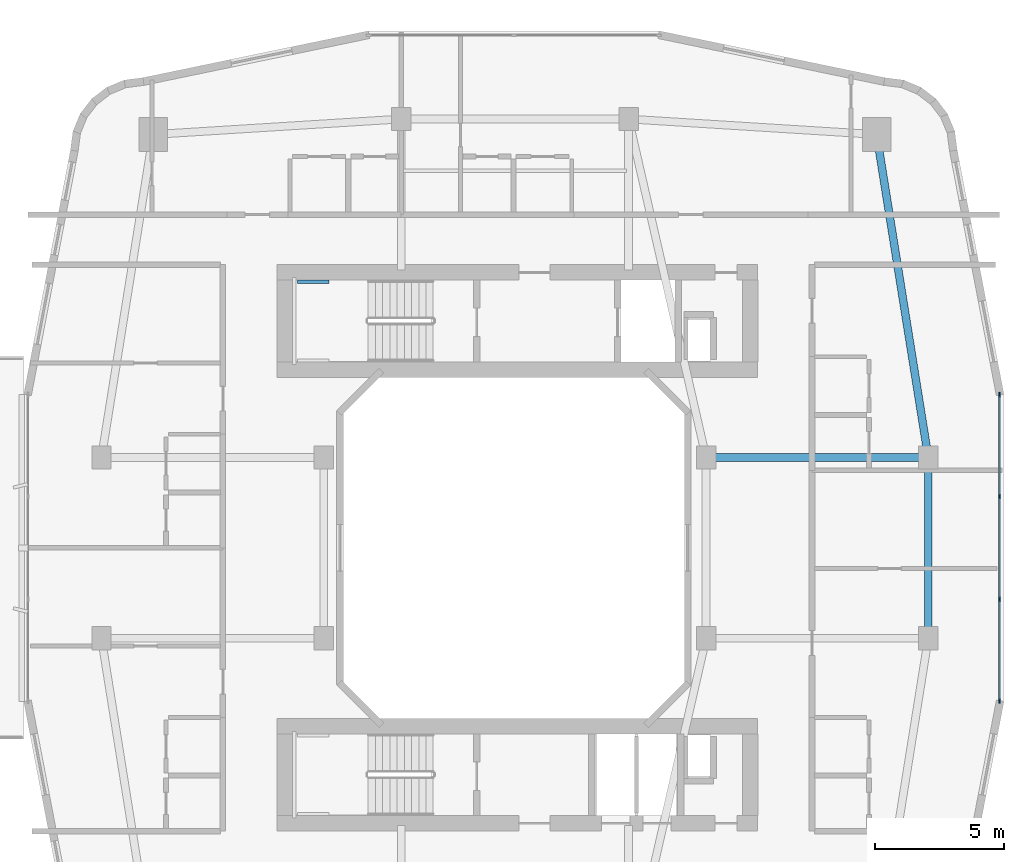
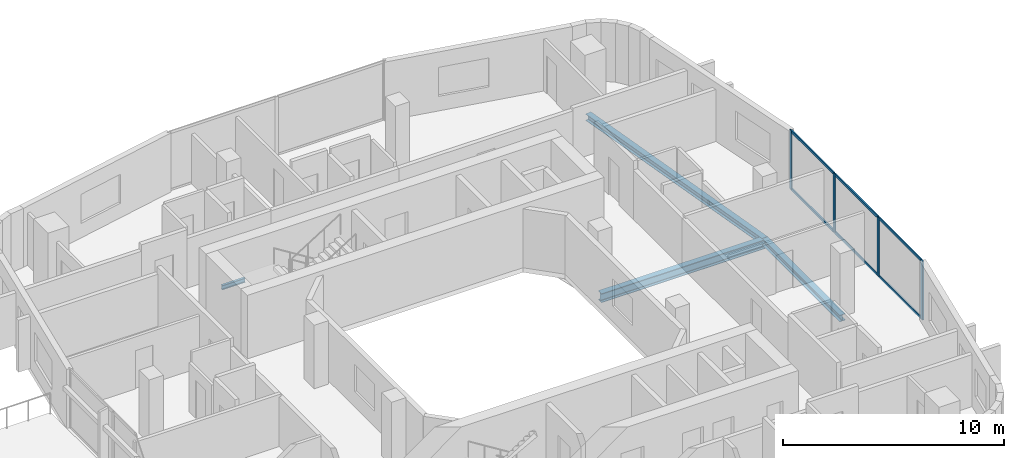
# One storey, part 9 of 25: 10 members, 4 beams, 1 element without a shape of its own.
"""IFC4 building model written with IfcOpenShell, lengths in metres."""

from ifc_helpers import new_model, si_unit, derived_unit, direction, frame, origin, origin_2d, place, context, subcontext, project, spatial, rectangle, i_section, extrude, material, layer, layer_set, material_profile, profile_set, type_object, element, aggregate, save


model = new_model("IFC4")

# Units and contexts
model_context = context("Model", 3, precision=1e-05, world=origin(), true_north=direction((0.0, 1.0)))
body_context = subcontext(model_context, "Body", "Model", "MODEL_VIEW")
ifc_project = project(units=[si_unit("LENGTHUNIT", "METRE"), si_unit("AREAUNIT", "SQUARE_METRE"), si_unit("VOLUMEUNIT", "CUBIC_METRE"), si_unit("PLANEANGLEUNIT", "RADIAN"), si_unit("MASSUNIT", "GRAM", prefix="KILO"), derived_unit("THERMALTRANSMITTANCEUNIT", [(si_unit("POWERUNIT", "WATT"), 1), (si_unit("LENGTHUNIT", "METRE"), -2), (si_unit("THERMODYNAMICTEMPERATUREUNIT", "KELVIN"), -1)])], contexts=[model_context])

# Site, building, storey
site_placement = place(None, origin())
site = spatial("IfcSite", under=ifc_project, at=site_placement, CompositionType="ELEMENT")
building_placement = place(site_placement, origin())
building = spatial("IfcBuilding", under=site, at=building_placement, Name="Kivonza Crest Hotel", CompositionType="ELEMENT")
storey_placement = place(building_placement, frame((0.0, 0.0, 24.0)))
storey = spatial("IfcBuildingStorey", under=building, at=storey_placement, Name="L05", CompositionType="ELEMENT", Elevation=24.0)

# Beams
ifc_material_1 = material(Name="Steel S355", Category="steel")
ifc_material_profile_1 = material_profile(ifc_material_1, i_section(OverallWidth=0.300048828125, OverallDepth=0.360107421875, WebThickness=0.012451171875, FlangeThickness=0.0224609375, FilletRadius=0.027099609375, at=origin_2d()), Name="HEB 360")
ifc_profile_set_1 = profile_set([ifc_material_profile_1], Name="Steel S355")
beam_type_1 = type_object("IfcBeamType", Name="BM-HEB360", PredefinedType="SPANDREL", material=ifc_profile_set_1)
beam_1_placement = place(storey_placement, frame((93.0, 21.5, -0.429931640625), z_axis=(0.0, 1.0, 0.0), x_axis=(-1.0, 0.0, 0.0)))
element("IfcBeam", 1, at=beam_1_placement, inside=storey, type_object=beam_type_1, Name="Companion Tower T2 L05 perimeter spandrel E1-E2", PredefinedType="SPANDREL", context=body_context, shape_type="SweptSolid", body=[
    extrude(i_section(OverallWidth=0.300048828125, OverallDepth=0.360107421875, WebThickness=0.012451171875, FlangeThickness=0.0224609375, FilletRadius=0.027099609375, at=origin_2d()), origin(), (0.0, 0.0, 1.0), 7.0),
])
beam_2_placement = place(storey_placement, frame((93.0, 28.5, -0.429931640625), z_axis=(-0.157990501107, 0.987440631917, 0.0), x_axis=(-0.987440631917, -0.157990501107, 0.0)))
element("IfcBeam", 2, at=beam_2_placement, inside=storey, type_object=beam_type_1, Name="Companion Tower T2 L05 perimeter spandrel E2-NE", PredefinedType="SPANDREL", context=body_context, shape_type="SweptSolid", body=[
    extrude(i_section(OverallWidth=0.300048828125, OverallDepth=0.360107421875, WebThickness=0.012451171875, FlangeThickness=0.0224609375, FilletRadius=0.027099609375, at=origin_2d()), origin(), (0.0, 0.0, 1.0), 12.658935546875),
])
ifc_material_profile_2 = material_profile(ifc_material_1, i_section(OverallWidth=0.300048828125, OverallDepth=0.5, WebThickness=0.014404296875, FlangeThickness=0.028076171875, FilletRadius=0.027099609375, at=origin_2d()), Name="HEB 500")
ifc_profile_set_2 = profile_set([ifc_material_profile_2], Name="Steel S355")
beam_type_2 = type_object("IfcBeamType", Name="BM-HEB500", PredefinedType="BEAM", material=ifc_profile_set_2)
beam_3_placement = place(storey_placement, frame((84.39990234375, 28.5, -0.5), z_axis=(1.0, 0.0, 0.0), x_axis=(0.0, 1.0, 0.0)))
element("IfcBeam", 3, at=beam_3_placement, inside=storey, type_object=beam_type_2, Name="Companion Tower T2 L05 girder WR2-E2", PredefinedType="BEAM", context=body_context, shape_type="SweptSolid", body=[
    extrude(i_section(OverallWidth=0.300048828125, OverallDepth=0.5, WebThickness=0.014404296875, FlangeThickness=0.028076171875, FilletRadius=0.027099609375, at=origin_2d()), origin(), (0.0, 0.0, 1.0), 8.60009765625),
])
ifc_material_profile_3 = material_profile(ifc_material_1, i_section(OverallWidth=0.1201171875, OverallDepth=0.239990234375, WebThickness=0.006103515625, FlangeThickness=0.009765625, FilletRadius=0.014892578125, at=origin_2d()), Name="IPE 240")
ifc_profile_set_3 = profile_set([ifc_material_profile_3], Name="Steel S355")
beam_type_3 = type_object("IfcBeamType", Name="BM-LLDG-240", PredefinedType="BEAM", material=ifc_profile_set_3)
beam_4_placement = place(storey_placement, frame((68.590087890625, 35.300048828125, 1.429931640625), z_axis=(1.0, 0.0, 0.0), x_axis=(0.0, 1.0, 0.0)))
element("IfcBeam", 4, at=beam_4_placement, inside=storey, type_object=beam_type_3, Name="Stair ST-T2-N L05 North landing corbel", PredefinedType="BEAM", context=body_context, shape_type="SweptSolid", body=[
    extrude(i_section(OverallWidth=0.1201171875, OverallDepth=0.239990234375, WebThickness=0.006103515625, FlangeThickness=0.009765625, FilletRadius=0.014892578125, at=origin_2d()), origin(), (0.0, 0.0, 1.0), 1.2099609375),
])

# Curtain wall, members
ifc_material_2 = material(Name="Anodised bronze aluminium and low-E double glazing", Category="aluminium")
ifc_layer = layer(ifc_material_2, 0.179931640625)
ifc_layer_set = layer_set([ifc_layer], Name="Anodised bronze aluminium and low-E double glazing")
curtain_wall_type = type_object("IfcCurtainWallType", Name="CW-SYS-4", PredefinedType="NOTDEFINED", material=ifc_layer_set)
curtain_wall_placement = place(storey_placement, origin())
curtain_wall = element("IfcCurtainWall", 5, at=curtain_wall_placement, inside=storey, type_object=curtain_wall_type, Name="L05 unitised curtain wall CW-T2-L05-17", PredefinedType="NOTDEFINED")
ifc_material_3 = material(Name="Anodised bronze aluminium", Category="aluminium")
ifc_material_profile_4 = material_profile(ifc_material_3, rectangle(XDim=0.06494140625, YDim=0.179931640625, at=origin_2d()), Name="CW-M 65x180")
ifc_profile_set_4 = profile_set([ifc_material_profile_4], Name="Anodised bronze aluminium")
member_type_1 = type_object("IfcMemberType", Name="CW-MUL-65x180", PredefinedType="MULLION", material=ifc_profile_set_4)
member_1_placement = place(storey_placement, frame((95.760009765625, 19.072509765625, 0.0), z_axis=(0.0, 0.0, 1.0), x_axis=(-1.0, 0.0, 0.0)))
member_1 = element("IfcMember", 6, at=member_1_placement, type_object=member_type_1, Name="CW-4 mullion 1", PredefinedType="MULLION", context=body_context, shape_type="SweptSolid", body=[
    extrude(rectangle(XDim=0.06494140625, YDim=0.179931640625, at=origin_2d()), origin(), (0.0, 0.0, 1.0), 3.25),
])
member_2_placement = place(storey_placement, frame((95.760009765625, 23.013427734375, 0.0), z_axis=(0.0, 0.0, 1.0), x_axis=(-1.0, 0.0, 0.0)))
member_2 = element("IfcMember", 7, at=member_2_placement, type_object=member_type_1, Name="CW-4 mullion 2", PredefinedType="MULLION", context=body_context, shape_type="SweptSolid", body=[
    extrude(rectangle(XDim=0.06494140625, YDim=0.179931640625, at=origin_2d()), origin(), (0.0, 0.0, 1.0), 3.25),
])
member_3_placement = place(storey_placement, frame((95.760009765625, 26.986572265625, 0.0), z_axis=(0.0, 0.0, 1.0), x_axis=(-1.0, 0.0, 0.0)))
member_3 = element("IfcMember", 8, at=member_3_placement, type_object=member_type_1, Name="CW-4 mullion 3", PredefinedType="MULLION", context=body_context, shape_type="SweptSolid", body=[
    extrude(rectangle(XDim=0.06494140625, YDim=0.179931640625, at=origin_2d()), origin(), (0.0, 0.0, 1.0), 3.25),
])
member_4_placement = place(storey_placement, frame((95.760009765625, 30.927490234375, 0.0), z_axis=(0.0, 0.0, 1.0), x_axis=(-1.0, 0.0, 0.0)))
member_4 = element("IfcMember", 9, at=member_4_placement, type_object=member_type_1, Name="CW-4 mullion 4", PredefinedType="MULLION", context=body_context, shape_type="SweptSolid", body=[
    extrude(rectangle(XDim=0.06494140625, YDim=0.179931640625, at=origin_2d()), origin(), (0.0, 0.0, 1.0), 3.25),
])
ifc_material_profile_5 = material_profile(ifc_material_3, rectangle(XDim=0.06494140625, YDim=0.139892578125, at=origin_2d()), Name="CW-T 65x140")
ifc_profile_set_5 = profile_set([ifc_material_profile_5], Name="Anodised bronze aluminium")
member_type_2 = type_object("IfcMemberType", Name="CW-TRN-65x140", PredefinedType="USERDEFINED", material=ifc_profile_set_5)
member_5_placement = place(storey_placement, frame((95.760009765625, 19.10498046875, 0.032470703125), z_axis=(0.0, 1.0, 0.0), x_axis=(-1.0, 0.0, 0.0)))
member_5 = element("IfcMember", 10, at=member_5_placement, type_object=member_type_2, Name="CW-4 transom 1.1", ObjectType="TRANSOM", PredefinedType="USERDEFINED", context=body_context, shape_type="SweptSolid", body=[
    extrude(rectangle(XDim=0.06494140625, YDim=0.139892578125, at=origin_2d()), origin(), (0.0, 0.0, 1.0), 3.875732421875),
])
member_6_placement = place(storey_placement, frame((95.760009765625, 19.10498046875, 3.217529296875), z_axis=(0.0, 1.0, 0.0), x_axis=(-1.0, 0.0, 0.0)))
member_6 = element("IfcMember", 11, at=member_6_placement, type_object=member_type_2, Name="CW-4 transom 1.2", ObjectType="TRANSOM", PredefinedType="USERDEFINED", context=body_context, shape_type="SweptSolid", body=[
    extrude(rectangle(XDim=0.06494140625, YDim=0.139892578125, at=origin_2d()), origin(), (0.0, 0.0, 1.0), 3.875732421875),
])
member_7_placement = place(storey_placement, frame((95.760009765625, 23.0458984375, 0.032470703125), z_axis=(0.0, 1.0, 0.0), x_axis=(-1.0, 0.0, 0.0)))
member_7 = element("IfcMember", 12, at=member_7_placement, type_object=member_type_2, Name="CW-4 transom 2.1", ObjectType="TRANSOM", PredefinedType="USERDEFINED", context=body_context, shape_type="SweptSolid", body=[
    extrude(rectangle(XDim=0.06494140625, YDim=0.139892578125, at=origin_2d()), origin(), (0.0, 0.0, 1.0), 3.908203125),
])
member_8_placement = place(storey_placement, frame((95.760009765625, 23.0458984375, 3.217529296875), z_axis=(0.0, 1.0, 0.0), x_axis=(-1.0, 0.0, 0.0)))
member_8 = element("IfcMember", 13, at=member_8_placement, type_object=member_type_2, Name="CW-4 transom 2.2", ObjectType="TRANSOM", PredefinedType="USERDEFINED", context=body_context, shape_type="SweptSolid", body=[
    extrude(rectangle(XDim=0.06494140625, YDim=0.139892578125, at=origin_2d()), origin(), (0.0, 0.0, 1.0), 3.908203125),
])
member_9_placement = place(storey_placement, frame((95.760009765625, 27.019287109375, 0.032470703125), z_axis=(0.0, 1.0, 0.0), x_axis=(-1.0, 0.0, 0.0)))
member_9 = element("IfcMember", 14, at=member_9_placement, type_object=member_type_2, Name="CW-4 transom 3.1", ObjectType="TRANSOM", PredefinedType="USERDEFINED", context=body_context, shape_type="SweptSolid", body=[
    extrude(rectangle(XDim=0.06494140625, YDim=0.139892578125, at=origin_2d()), origin(), (0.0, 0.0, 1.0), 3.875732421875),
])
member_10_placement = place(storey_placement, frame((95.760009765625, 27.019287109375, 3.217529296875), z_axis=(0.0, 1.0, 0.0), x_axis=(-1.0, 0.0, 0.0)))
member_10 = element("IfcMember", 15, at=member_10_placement, type_object=member_type_2, Name="CW-4 transom 3.2", ObjectType="TRANSOM", PredefinedType="USERDEFINED", context=body_context, shape_type="SweptSolid", body=[
    extrude(rectangle(XDim=0.06494140625, YDim=0.139892578125, at=origin_2d()), origin(), (0.0, 0.0, 1.0), 3.875732421875),
])
aggregate(curtain_wall, [member_1, member_2, member_3, member_4, member_5, member_6, member_7, member_8, member_9, member_10])

save(model, "model.ifc")
